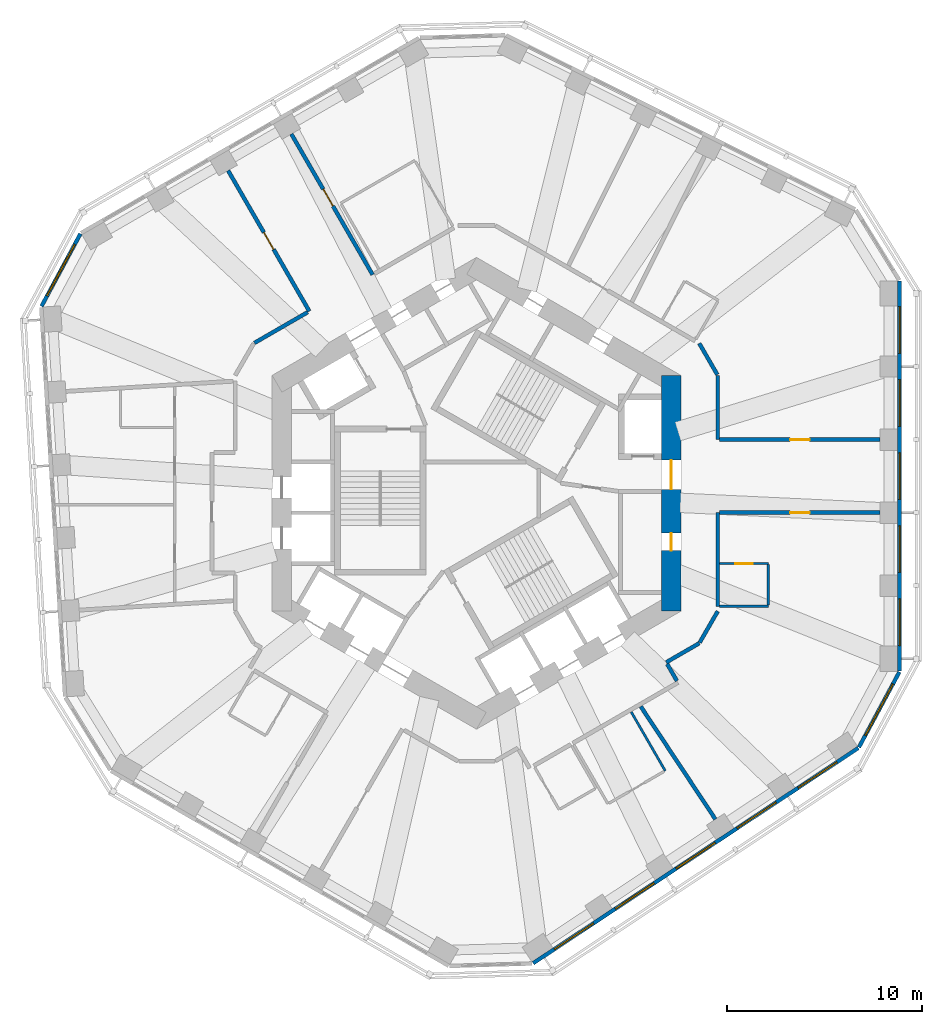
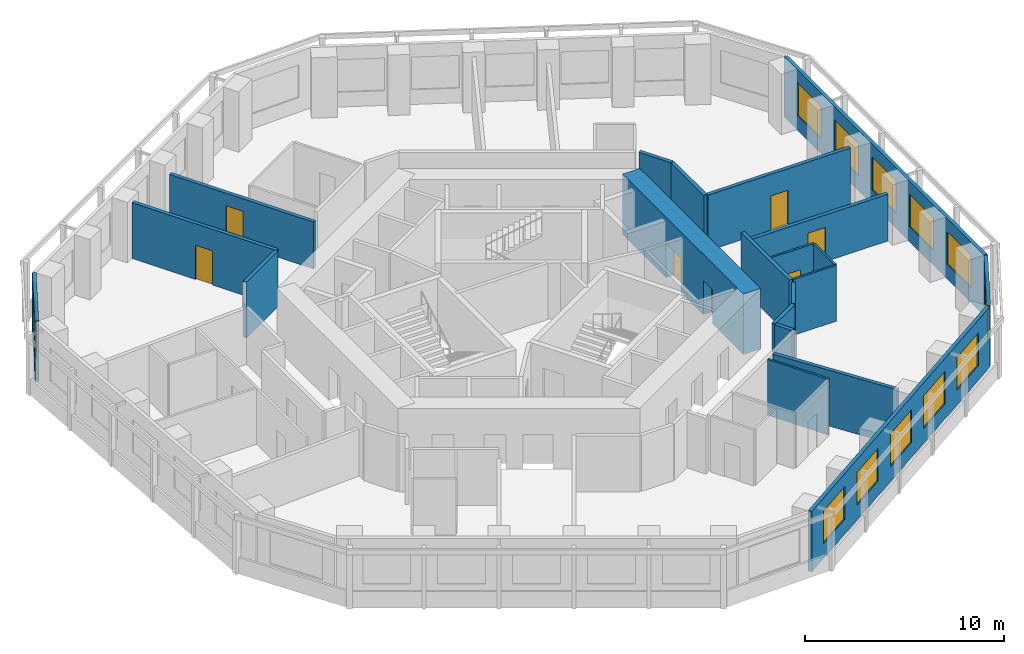
# One storey, part 6 of 11: 21 walls, 12 windows, 7 doors, 19 openings.
"""IFC4 building model written with IfcOpenShell, lengths in metres."""

from ifc_helpers import new_model, si_unit, direction, frame, frame_2d, origin, place, context, subcontext, project, spatial, rectangle, extrude, material, layer, layer_set, type_object, element, fill, save


model = new_model("IFC4")

# Units and contexts
model_context = context("Model", 3, precision=1e-05, world=origin(), true_north=direction((0.0, 1.0)))
body_context = subcontext(model_context, "Body", "Model", "MODEL_VIEW")
ifc_project = project(units=[si_unit("LENGTHUNIT", "METRE"), si_unit("AREAUNIT", "SQUARE_METRE"), si_unit("VOLUMEUNIT", "CUBIC_METRE"), si_unit("PLANEANGLEUNIT", "RADIAN"), si_unit("MASSUNIT", "GRAM", prefix="KILO")], contexts=[model_context])

# Site, building, storey
site_placement = place(None, origin())
site = spatial("IfcSite", under=ifc_project, at=site_placement, CompositionType="ELEMENT")
building_placement = place(site_placement, origin())
building = spatial("IfcBuilding", under=site, at=building_placement, Name="Vanh Sen Convention Tower", CompositionType="ELEMENT")
storey_placement = place(building_placement, frame((0.0, 0.0, 150.300048828125)))
storey = spatial("IfcBuildingStorey", under=building, at=storey_placement, Name="L36", CompositionType="ELEMENT", Elevation=150.300048828125)

# Wall
ifc_material_1 = material(Name="Moisture-resistant gypsum board on steel studs", Category="steel")
ifc_layer_1 = layer(ifc_material_1, 0.1201171875)
ifc_layer_set_1 = layer_set([ifc_layer_1], Name="Moisture-resistant gypsum board on steel studs")
wall_type_1 = type_object("IfcWallType", Name="Bathroom partition 120", PredefinedType="PARTITIONING", material=ifc_layer_set_1)
wall_1_placement = place(storey_placement, frame((7.949462890625, -11.23095703125, 0.0), z_axis=(0.0, 0.0, 1.0), x_axis=(0.500010275428, -0.866019471182, 0.0)))
element("IfcWall", 1, at=wall_1_placement, inside=storey, type_object=wall_type_1, Name="Bathroom partition 120", PredefinedType="PARTITIONING", context=body_context, shape_type="SweptSolid", body=[
    extrude(rectangle(XDim=3.5, YDim=0.1201171875, at=frame_2d((1.75, 0.0))), origin(), (0.0, 0.0, 1.0), 3.419921875),
])

# Wall, opening, door
wall_2_placement = place(storey_placement, frame((12.5, -3.6123046875, 0.0), z_axis=(0.0, 0.0, 1.0), x_axis=(1.0, 0.0, 0.0)))
wall_2 = element("IfcWall", 2, at=wall_2_placement, inside=storey, type_object=wall_type_1, Name="Bathroom partition 120", PredefinedType="PARTITIONING", context=body_context, shape_type="SweptSolid", body=[
    extrude(rectangle(XDim=2.5, YDim=0.1201171875, at=frame_2d((1.25, 0.0))), origin(), (0.0, 0.0, 1.0), 3.419921875),
])
opening_1_placement = place(wall_2_placement, frame((0.800048828125, 0.0, 0.0)))
opening_1 = element("IfcOpeningElement", 3, at=opening_1_placement, cuts=wall_2, Name="Opening D35117", PredefinedType="OPENING", context=body_context, shape_type="SweptSolid", body=[
    extrude(rectangle(XDim=0.89990234375, YDim=2.10009765625, at=frame_2d((0.449951171875, 1.050048828125))), frame((0.0, 0.070068359375, 0.0), z_axis=(0.0, -1.0, 0.0), x_axis=(1.0, 0.0, 0.0)), (0.0, 0.0, 1.0), 0.14013671875),
])
ifc_material_2 = material(Name="Laminate door in steel frame", Category="steel")
door_type_1 = type_object("IfcDoorType", Name="Room internal door 900", OperationType="SINGLE_SWING_LEFT", PredefinedType="DOOR", material=ifc_material_2)
door_1_placement = place(opening_1_placement, origin())
door_1 = element("IfcDoor", 4, at=door_1_placement, inside=storey, type_object=door_type_1, Name="Internal room door D35117", OperationType="SINGLE_SWING_LEFT", OverallHeight=2.10009765625, OverallWidth=0.89990234375, PredefinedType="DOOR", context=body_context, shape_type="SweptSolid", body=[
    extrude(rectangle(XDim=0.89990234375, YDim=2.10009765625, at=frame_2d((0.449951171875, 1.050048828125))), frame((0.0, 0.02490234375, 0.0), z_axis=(0.0, -1.0, 0.0), x_axis=(1.0, 0.0, 0.0)), (0.0, 0.0, 1.0), 0.050048828125),
])
fill(opening_1, door_1)

# Walls
wall_3_placement = place(storey_placement, frame((15.0, -5.812255859375, 0.0), z_axis=(0.0, 0.0, 1.0), x_axis=(-1.0, 0.0, 0.0)))
element("IfcWall", 5, at=wall_3_placement, inside=storey, type_object=wall_type_1, Name="Bathroom partition 120", PredefinedType="PARTITIONING", context=body_context, shape_type="SweptSolid", body=[
    extrude(rectangle(XDim=2.5, YDim=0.1201171875, at=frame_2d((1.25, 0.0))), origin(), (0.0, 0.0, 1.0), 3.419921875),
])
wall_4_placement = place(storey_placement, frame((15.0, -3.672119140625, 0.0), z_axis=(0.0, 0.0, 1.0), x_axis=(0.0, -1.0, 0.0)))
element("IfcWall", 6, at=wall_4_placement, inside=storey, type_object=wall_type_1, Name="Bathroom partition 120", PredefinedType="PARTITIONING", context=body_context, shape_type="SweptSolid", body=[
    extrude(rectangle(XDim=2.080078125, YDim=0.1201171875, at=frame_2d((1.0400390625, 0.0))), origin(), (0.0, 0.0, 1.0), 3.419921875),
])

# Wall, openings, doors
ifc_material_3 = material(Name="Concrete C80/95", Category="concrete")
ifc_layer_2 = layer(ifc_material_3, 1.0)
ifc_layer_set_2 = layer_set([ifc_layer_2], Name="Concrete C80/95")
wall_type_2 = type_object("IfcWallType", Name="Core outer wall 1000 C80/95", PredefinedType="SHEAR", material=ifc_layer_set_2)
wall_5_placement = place(storey_placement, frame((10.0, -6.062255859375, 0.0), z_axis=(0.0, 0.0, 1.0), x_axis=(0.0, 1.0, 0.0)))
wall_5 = element("IfcWall", 7, at=wall_5_placement, inside=storey, type_object=wall_type_2, Name="Core wall face E L36", PredefinedType="SHEAR", context=body_context, shape_type="SweptSolid", body=[
    extrude(rectangle(XDim=12.12451171875, YDim=1.0, at=frame_2d((6.062255859375, 0.0))), origin(), (0.0, 0.0, 1.0), 3.699951171875),
])
opening_2_placement = place(wall_5_placement, frame((6.26220703125, 0.0, 0.0)))
opening_2 = element("IfcOpeningElement", 8, at=opening_2_placement, cuts=wall_5, Name="Opening D35001", PredefinedType="OPENING", context=body_context, shape_type="SweptSolid", body=[
    extrude(rectangle(XDim=1.5, YDim=2.10009765625, at=frame_2d((0.75, 1.050048828125))), frame((0.0, 0.510009765625, 0.0), z_axis=(0.0, -1.0, 0.0), x_axis=(1.0, 0.0, 0.0)), (0.0, 0.0, 1.0), 1.02001953125),
])
opening_3_placement = place(wall_5_placement, frame((3.1123046875, 0.0, 0.0)))
opening_3 = element("IfcOpeningElement", 9, at=opening_3_placement, cuts=wall_5, Name="Opening D35010", PredefinedType="OPENING", context=body_context, shape_type="SweptSolid", body=[
    extrude(rectangle(XDim=0.89990234375, YDim=2.10009765625, at=frame_2d((0.449951171875, 1.050048828125))), frame((0.0, 0.510009765625, 0.0), z_axis=(0.0, -1.0, 0.0), x_axis=(1.0, 0.0, 0.0)), (0.0, 0.0, 1.0), 1.02001953125),
])
ifc_material_4 = material(Name="Steel S355", Category="steel")
door_type_2 = type_object("IfcDoorType", Name="Plant door 900", OperationType="SINGLE_SWING_LEFT", PredefinedType="DOOR", material=ifc_material_4)
door_2_placement = place(opening_3_placement, origin())
door_2 = element("IfcDoor", 10, at=door_2_placement, inside=storey, type_object=door_type_2, Name="Plant door D35010", OperationType="SINGLE_SWING_LEFT", OverallHeight=2.10009765625, OverallWidth=0.89990234375, PredefinedType="DOOR", context=body_context, shape_type="SweptSolid", body=[
    extrude(rectangle(XDim=0.89990234375, YDim=2.10009765625, at=frame_2d((0.449951171875, 1.050048828125))), frame((0.0, 0.02490234375, 0.0), z_axis=(0.0, -1.0, 0.0), x_axis=(1.0, 0.0, 0.0)), (0.0, 0.0, 1.0), 0.050048828125),
])
fill(opening_3, door_2)
door_type_3 = type_object("IfcDoorType", Name="Stair lobby door 1500", OperationType="DOUBLE_DOOR_SINGLE_SWING", PredefinedType="DOOR", material=ifc_material_4)
door_3_placement = place(opening_2_placement, origin())
door_3 = element("IfcDoor", 11, at=door_3_placement, inside=storey, type_object=door_type_3, Name="Stair lobby door D35001", OperationType="DOUBLE_DOOR_SINGLE_SWING", OverallHeight=2.10009765625, OverallWidth=1.5, PredefinedType="DOOR", context=body_context, shape_type="SweptSolid", body=[
    extrude(rectangle(XDim=1.5, YDim=2.10009765625, at=frame_2d((0.75, 1.050048828125))), frame((0.0, 0.02490234375, 0.0), z_axis=(0.0, -1.0, 0.0), x_axis=(1.0, 0.0, 0.0)), (0.0, 0.0, 1.0), 0.050048828125),
])
fill(opening_2, door_3)

# Wall, opening, door
ifc_material_5 = material(Name="Gypsum board on steel studs with mineral wool", Category="steel")
ifc_layer_3 = layer(ifc_material_5, 0.199951171875)
ifc_layer_set_3 = layer_set([ifc_layer_3], Name="Gypsum board on steel studs with mineral wool")
wall_type_3 = type_object("IfcWallType", Name="Corridor partition wall 200", PredefinedType="PARTITIONING", material=ifc_layer_set_3)
wall_6_placement = place(storey_placement, frame((-12.766357421875, 16.58935546875, 0.0), z_axis=(0.0, 0.0, 1.0), x_axis=(0.500010139422, -0.866019549707, 0.0)))
wall_6 = element("IfcWall", 12, at=wall_6_placement, inside=storey, type_object=wall_type_3, Name="Corridor partition wall 200", PredefinedType="PARTITIONING", context=body_context, shape_type="SweptSolid", body=[
    extrude(rectangle(XDim=8.349853515625, YDim=0.199951171875, at=frame_2d((4.1748046875, 0.0))), origin(), (0.0, 0.0, 1.0), 3.419921875),
])
opening_4_placement = place(wall_6_placement, frame((3.675048828125, 0.0, 0.0)))
opening_4 = element("IfcOpeningElement", 13, at=opening_4_placement, cuts=wall_6, Name="Opening D35106", PredefinedType="OPENING", context=body_context, shape_type="SweptSolid", body=[
    extrude(rectangle(XDim=1.0, YDim=2.10009765625, at=frame_2d((0.5, 1.050048828125))), frame((0.0, 0.10986328125, 0.0), z_axis=(0.0, -1.0, 0.0), x_axis=(1.0, 0.0, 0.0)), (0.0, 0.0, 1.0), 0.219970703125),
])
ifc_material_6 = material(Name="Glazed fire door in steel frame", Category="steel")
door_type_4 = type_object("IfcDoorType", Name="Tenant entrance door 1000", OperationType="SINGLE_SWING_LEFT", PredefinedType="DOOR", material=ifc_material_6)
door_4_placement = place(opening_4_placement, origin())
door_4 = element("IfcDoor", 14, at=door_4_placement, inside=storey, type_object=door_type_4, Name="Tenant suite entrance door D35106", OperationType="SINGLE_SWING_LEFT", OverallHeight=2.10009765625, OverallWidth=1.0, PredefinedType="DOOR", context=body_context, shape_type="SweptSolid", body=[
    extrude(rectangle(XDim=1.0, YDim=2.10009765625, at=frame_2d((0.5, 1.050048828125))), frame((0.0, 0.02490234375, 0.0), z_axis=(0.0, -1.0, 0.0), x_axis=(1.0, 0.0, 0.0)), (0.0, 0.0, 1.0), 0.050048828125),
])
fill(opening_4, door_4)

wall_7_placement = place(storey_placement, frame((-9.51513671875, 18.46630859375, 0.0), z_axis=(0.0, 0.0, 1.0), x_axis=(0.500010139422, -0.866019549707, 0.0)))
wall_7 = element("IfcWall", 15, at=wall_7_placement, inside=storey, type_object=wall_type_3, Name="Corridor partition wall 200", PredefinedType="PARTITIONING", context=body_context, shape_type="SweptSolid", body=[
    extrude(rectangle(XDim=8.349853515625, YDim=0.199951171875, at=frame_2d((4.1748046875, 0.0))), origin(), (0.0, 0.0, 1.0), 2.869873046875),
])
opening_5_placement = place(wall_7_placement, frame((3.27490234375, 0.0, 0.0)))
opening_5 = element("IfcOpeningElement", 16, at=opening_5_placement, cuts=wall_7, Name="Opening D35104", PredefinedType="OPENING", context=body_context, shape_type="SweptSolid", body=[
    extrude(rectangle(XDim=1.0, YDim=2.10009765625, at=frame_2d((0.5, 1.050048828125))), frame((0.0, 0.10986328125, 0.0), z_axis=(0.0, -1.0, 0.0), x_axis=(1.0, 0.0, 0.0)), (0.0, 0.0, 1.0), 0.219970703125),
])
door_5_placement = place(opening_5_placement, origin())
door_5 = element("IfcDoor", 17, at=door_5_placement, inside=storey, type_object=door_type_4, Name="Tenant suite entrance door D35104", OperationType="SINGLE_SWING_LEFT", OverallHeight=2.10009765625, OverallWidth=1.0, PredefinedType="DOOR", context=body_context, shape_type="SweptSolid", body=[
    extrude(rectangle(XDim=1.0, YDim=2.10009765625, at=frame_2d((0.5, 1.050048828125))), frame((0.0, 0.02490234375, 0.0), z_axis=(0.0, -1.0, 0.0), x_axis=(1.0, 0.0, 0.0)), (0.0, 0.0, 1.0), 0.050048828125),
])
fill(opening_5, door_5)

# Walls
wall_8_placement = place(storey_placement, frame((-8.677978515625, 9.30810546875, 0.0), z_axis=(0.0, 0.0, 1.0), x_axis=(-0.866000359435, -0.500043375578, 0.0)))
element("IfcWall", 18, at=wall_8_placement, inside=storey, type_object=wall_type_3, Name="Corridor partition wall 200", PredefinedType="PARTITIONING", context=body_context, shape_type="SweptSolid", body=[
    extrude(rectangle(XDim=3.160888671875, YDim=0.199951171875, at=frame_2d((1.58056640625, 0.0))), origin(), (0.0, 0.0, 1.0), 3.419921875),
])
wall_9_placement = place(storey_placement, frame((9.751708984375, -8.688232421875, 0.0), z_axis=(0.0, 0.0, 1.0), x_axis=(0.865974105138, 0.500088841337, 0.0)))
element("IfcWall", 19, at=wall_9_placement, inside=storey, type_object=wall_type_3, Name="Corridor partition wall 200", PredefinedType="PARTITIONING", context=body_context, shape_type="SweptSolid", body=[
    extrude(rectangle(XDim=1.961181640625, YDim=0.199951171875, at=frame_2d((0.98046875, 0.0))), origin(), (0.0, 0.0, 1.0), 3.419921875),
])
wall_10_placement = place(storey_placement, frame((10.302001953125, -9.6416015625, 0.0), z_axis=(0.0, 0.0, 1.0), x_axis=(-0.500074377092, 0.865982457891, 0.0)))
element("IfcWall", 20, at=wall_10_placement, inside=storey, type_object=wall_type_3, Name="Corridor partition wall 200", PredefinedType="PARTITIONING", context=body_context, shape_type="SweptSolid", body=[
    extrude(rectangle(XDim=1.000732421875, YDim=0.199951171875, at=frame_2d((0.50048828125, 0.0))), origin(), (0.0, 0.0, 1.0), 3.419921875),
])
for number, where, z_axis, x_axis, name in (
    (21, (11.469970703125, -7.673095703125, 0.0), (0.0, 0.0, 1.0), (0.499964847546, 0.866045698112, 0.0), "Corridor partition wall 200"),
    (22, (12.3798828125, 6.0966796875, 0.0), (0.0, 0.0, 1.0), (-0.499964847546, 0.866045698112, 0.0), "Corridor partition wall 200"),
):
    element("IfcWall", number, at=place(storey_placement, frame(where, z_axis=z_axis, x_axis=x_axis)), inside=storey, type_object=wall_type_3, Name=name, PredefinedType="PARTITIONING", context=body_context, shape_type="SweptSolid", body=[
        extrude(rectangle(XDim=1.860107421875, YDim=0.199951171875, at=frame_2d((0.93017578125, 0.0))), origin(), (0.0, 0.0, 1.0), 3.419921875),
    ])
wall_11_placement = place(storey_placement, frame((12.39990234375, -5.812255859375, 0.0), z_axis=(0.0, 0.0, 1.0), x_axis=(0.0, 1.0, 0.0)))
element("IfcWall", 23, at=wall_11_placement, inside=storey, type_object=wall_type_3, Name="Corridor partition wall 200", PredefinedType="PARTITIONING", context=body_context, shape_type="SweptSolid", body=[
    extrude(rectangle(XDim=4.8193359375, YDim=0.199951171875, at=frame_2d((2.40966796875, 0.0))), origin(), (0.0, 0.0, 1.0), 3.419921875),
])
wall_12_placement = place(storey_placement, frame((12.39990234375, 2.76123046875, 0.0), z_axis=(0.0, 0.0, 1.0), x_axis=(0.0, 1.0, 0.0)))
element("IfcWall", 24, at=wall_12_placement, inside=storey, type_object=wall_type_3, Name="Corridor partition wall 200", PredefinedType="PARTITIONING", context=body_context, shape_type="SweptSolid", body=[
    extrude(rectangle(XDim=3.301025390625, YDim=0.199951171875, at=frame_2d((1.650390625, 0.0))), origin(), (0.0, 0.0, 1.0), 3.419921875),
])

# Wall, opening, door
wall_13_placement = place(storey_placement, frame((12.5, -0.992919921875, 0.0), z_axis=(0.0, 0.0, 1.0), x_axis=(1.0, 0.0, 0.0)))
wall_13 = element("IfcWall", 25, at=wall_13_placement, inside=storey, type_object=wall_type_3, Name="Corridor partition wall 200", PredefinedType="PARTITIONING", context=body_context, shape_type="SweptSolid", body=[
    extrude(rectangle(XDim=8.25, YDim=0.199951171875, at=frame_2d((4.125, 0.0))), origin(), (0.0, 0.0, 1.0), 2.869873046875),
])
opening_6_placement = place(wall_13_placement, frame((3.625, 0.0, 0.0)))
opening_6 = element("IfcOpeningElement", 26, at=opening_6_placement, cuts=wall_13, Name="Opening D35116", PredefinedType="OPENING", context=body_context, shape_type="SweptSolid", body=[
    extrude(rectangle(XDim=1.0, YDim=2.10009765625, at=frame_2d((0.5, 1.050048828125))), frame((0.0, 0.10986328125, 0.0), z_axis=(0.0, -1.0, 0.0), x_axis=(1.0, 0.0, 0.0)), (0.0, 0.0, 1.0), 0.219970703125),
])
door_6_placement = place(opening_6_placement, origin())
door_6 = element("IfcDoor", 27, at=door_6_placement, inside=storey, type_object=door_type_4, Name="Tenant suite entrance door D35116", OperationType="SINGLE_SWING_LEFT", OverallHeight=2.10009765625, OverallWidth=1.0, PredefinedType="DOOR", context=body_context, shape_type="SweptSolid", body=[
    extrude(rectangle(XDim=1.0, YDim=2.10009765625, at=frame_2d((0.5, 1.050048828125))), frame((0.0, 0.02490234375, 0.0), z_axis=(0.0, -1.0, 0.0), x_axis=(1.0, 0.0, 0.0)), (0.0, 0.0, 1.0), 0.050048828125),
])
fill(opening_6, door_6)

wall_14_placement = place(storey_placement, frame((20.75, 2.76123046875, 0.0), z_axis=(0.0, 0.0, 1.0), x_axis=(-1.0, 0.0, 0.0)))
wall_14 = element("IfcWall", 28, at=wall_14_placement, inside=storey, type_object=wall_type_3, Name="Corridor partition wall 200", PredefinedType="PARTITIONING", context=body_context, shape_type="SweptSolid", body=[
    extrude(rectangle(XDim=8.25, YDim=0.199951171875, at=frame_2d((4.125, 0.0))), origin(), (0.0, 0.0, 1.0), 3.419921875),
])
opening_7_placement = place(wall_14_placement, frame((3.625, 0.0, 0.0)))
opening_7 = element("IfcOpeningElement", 29, at=opening_7_placement, cuts=wall_14, Name="Opening D35101", PredefinedType="OPENING", context=body_context, shape_type="SweptSolid", body=[
    extrude(rectangle(XDim=1.0, YDim=2.10009765625, at=frame_2d((0.5, 1.050048828125))), frame((0.0, 0.10986328125, 0.0), z_axis=(0.0, -1.0, 0.0), x_axis=(1.0, 0.0, 0.0)), (0.0, 0.0, 1.0), 0.219970703125),
])
door_7_placement = place(opening_7_placement, origin())
door_7 = element("IfcDoor", 30, at=door_7_placement, inside=storey, type_object=door_type_4, Name="Tenant suite entrance door D35101", OperationType="SINGLE_SWING_LEFT", OverallHeight=2.10009765625, OverallWidth=1.0, PredefinedType="DOOR", context=body_context, shape_type="SweptSolid", body=[
    extrude(rectangle(XDim=1.0, YDim=2.10009765625, at=frame_2d((0.5, 1.050048828125))), frame((0.0, 0.02490234375, 0.0), z_axis=(0.0, -1.0, 0.0), x_axis=(1.0, 0.0, 0.0)), (0.0, 0.0, 1.0), 0.050048828125),
])
fill(opening_7, door_7)

# Wall, openings, windows
ifc_material_7 = material(Name="Insulated lightweight infill wall")
ifc_layer_4 = layer(ifc_material_7, 0.199951171875)
ifc_layer_set_4 = layer_set([ifc_layer_4], Name="Insulated lightweight infill wall")
wall_type_4 = type_object("IfcWallType", Name="External wall 200", PredefinedType="STANDARD", material=ifc_layer_set_4)
wall_15_placement = place(storey_placement, frame((21.75, -9.138427734375, 0.0), z_axis=(0.0, 0.0, 1.0), x_axis=(0.0, 1.0, 0.0)))
wall_15 = element("IfcWall", 31, at=wall_15_placement, inside=storey, type_object=wall_type_4, Name="External wall E L36", PredefinedType="STANDARD", context=body_context, shape_type="SweptSolid", body=[
    extrude(rectangle(XDim=20.043701171875, YDim=0.199951171875, at=frame_2d((10.02197265625, 0.0))), origin(), (0.0, 0.0, 1.0), 3.699951171875),
])
opening_8_placement = place(wall_15_placement, frame((1.314453125, 0.0, 0.89990234375)))
opening_8 = element("IfcOpeningElement", 32, at=opening_8_placement, cuts=wall_15, Name="Opening WO1-E1", PredefinedType="OPENING", context=body_context, shape_type="SweptSolid", body=[
    extrude(rectangle(XDim=2.39990234375, YDim=2.0, at=frame_2d((1.199951171875, 1.0))), frame((0.0, 0.10986328125, 0.0), z_axis=(0.0, -1.0, 0.0), x_axis=(1.0, 0.0, 0.0)), (0.0, 0.0, 1.0), 0.219970703125),
])
opening_9_placement = place(wall_15_placement, frame((5.068603515625, 0.0, 0.89990234375)))
opening_9 = element("IfcOpeningElement", 33, at=opening_9_placement, cuts=wall_15, Name="Opening WO1-E2", PredefinedType="OPENING", context=body_context, shape_type="SweptSolid", body=[
    extrude(rectangle(XDim=2.39990234375, YDim=2.0, at=frame_2d((1.199951171875, 1.0))), frame((0.0, 0.10986328125, 0.0), z_axis=(0.0, -1.0, 0.0), x_axis=(1.0, 0.0, 0.0)), (0.0, 0.0, 1.0), 0.219970703125),
])
opening_10_placement = place(wall_15_placement, frame((8.82275390625, 0.0, 0.89990234375)))
opening_10 = element("IfcOpeningElement", 34, at=opening_10_placement, cuts=wall_15, Name="Opening WO1-E3", PredefinedType="OPENING", context=body_context, shape_type="SweptSolid", body=[
    extrude(rectangle(XDim=2.39990234375, YDim=2.0, at=frame_2d((1.199951171875, 1.0))), frame((0.0, 0.10986328125, 0.0), z_axis=(0.0, -1.0, 0.0), x_axis=(1.0, 0.0, 0.0)), (0.0, 0.0, 1.0), 0.219970703125),
])
opening_11_placement = place(wall_15_placement, frame((12.576904296875, 0.0, 0.89990234375)))
opening_11 = element("IfcOpeningElement", 35, at=opening_11_placement, cuts=wall_15, Name="Opening WO1-E4", PredefinedType="OPENING", context=body_context, shape_type="SweptSolid", body=[
    extrude(rectangle(XDim=2.39990234375, YDim=2.0, at=frame_2d((1.199951171875, 1.0))), frame((0.0, 0.10986328125, 0.0), z_axis=(0.0, -1.0, 0.0), x_axis=(1.0, 0.0, 0.0)), (0.0, 0.0, 1.0), 0.219970703125),
])
opening_12_placement = place(wall_15_placement, frame((16.330810546875, 0.0, 0.89990234375)))
opening_12 = element("IfcOpeningElement", 36, at=opening_12_placement, cuts=wall_15, Name="Opening WO1-E5", PredefinedType="OPENING", context=body_context, shape_type="SweptSolid", body=[
    extrude(rectangle(XDim=2.39990234375, YDim=2.0, at=frame_2d((1.199951171875, 1.0))), frame((0.0, 0.10986328125, 0.0), z_axis=(0.0, -1.0, 0.0), x_axis=(1.0, 0.0, 0.0)), (0.0, 0.0, 1.0), 0.219970703125),
])
ifc_material_8 = material(Name="Aluminium frame with clear low-emissivity glass", Category="aluminium")
window_type_1 = type_object("IfcWindowType", Name="Office window 2400 x 2000", PartitioningType="SINGLE_PANEL", PredefinedType="WINDOW", material=ifc_material_8)
window_1_placement = place(opening_8_placement, origin())
window_1 = element("IfcWindow", 37, at=window_1_placement, inside=storey, type_object=window_type_1, Name="Window WO1-E1", OverallHeight=2.0, OverallWidth=2.39990234375, PartitioningType="SINGLE_PANEL", PredefinedType="WINDOW", context=body_context, shape_type="SweptSolid", body=[
    extrude(rectangle(XDim=2.39990234375, YDim=2.0, at=frame_2d((1.199951171875, 1.0))), frame((0.0, 0.030029296875, 0.0), z_axis=(0.0, -1.0, 0.0), x_axis=(1.0, 0.0, 0.0)), (0.0, 0.0, 1.0), 0.06005859375),
])
fill(opening_8, window_1)
window_2_placement = place(opening_9_placement, origin())
window_2 = element("IfcWindow", 38, at=window_2_placement, inside=storey, type_object=window_type_1, Name="Window WO1-E2", OverallHeight=2.0, OverallWidth=2.39990234375, PartitioningType="SINGLE_PANEL", PredefinedType="WINDOW", context=body_context, shape_type="SweptSolid", body=[
    extrude(rectangle(XDim=2.39990234375, YDim=2.0, at=frame_2d((1.199951171875, 1.0))), frame((0.0, 0.030029296875, 0.0), z_axis=(0.0, -1.0, 0.0), x_axis=(1.0, 0.0, 0.0)), (0.0, 0.0, 1.0), 0.06005859375),
])
fill(opening_9, window_2)
window_3_placement = place(opening_10_placement, origin())
window_3 = element("IfcWindow", 39, at=window_3_placement, inside=storey, type_object=window_type_1, Name="Window WO1-E3", OverallHeight=2.0, OverallWidth=2.39990234375, PartitioningType="SINGLE_PANEL", PredefinedType="WINDOW", context=body_context, shape_type="SweptSolid", body=[
    extrude(rectangle(XDim=2.39990234375, YDim=2.0, at=frame_2d((1.199951171875, 1.0))), frame((0.0, 0.030029296875, 0.0), z_axis=(0.0, -1.0, 0.0), x_axis=(1.0, 0.0, 0.0)), (0.0, 0.0, 1.0), 0.06005859375),
])
fill(opening_10, window_3)
window_4_placement = place(opening_11_placement, origin())
window_4 = element("IfcWindow", 40, at=window_4_placement, inside=storey, type_object=window_type_1, Name="Window WO1-E4", OverallHeight=2.0, OverallWidth=2.39990234375, PartitioningType="SINGLE_PANEL", PredefinedType="WINDOW", context=body_context, shape_type="SweptSolid", body=[
    extrude(rectangle(XDim=2.39990234375, YDim=2.0, at=frame_2d((1.199951171875, 1.0))), frame((0.0, 0.030029296875, 0.0), z_axis=(0.0, -1.0, 0.0), x_axis=(1.0, 0.0, 0.0)), (0.0, 0.0, 1.0), 0.06005859375),
])
fill(opening_11, window_4)
window_5_placement = place(opening_12_placement, origin())
window_5 = element("IfcWindow", 41, at=window_5_placement, inside=storey, type_object=window_type_1, Name="Window WO1-E5", OverallHeight=2.0, OverallWidth=2.39990234375, PartitioningType="SINGLE_PANEL", PredefinedType="WINDOW", context=body_context, shape_type="SweptSolid", body=[
    extrude(rectangle(XDim=2.39990234375, YDim=2.0, at=frame_2d((1.199951171875, 1.0))), frame((0.0, 0.030029296875, 0.0), z_axis=(0.0, -1.0, 0.0), x_axis=(1.0, 0.0, 0.0)), (0.0, 0.0, 1.0), 0.06005859375),
])
fill(opening_12, window_5)

# Wall, opening, window
wall_16_placement = place(storey_placement, frame((-20.357421875, 13.343994140625, 0.0), z_axis=(0.0, 0.0, 1.0), x_axis=(-0.473288913494, -0.880907262068, 0.0)))
wall_16 = element("IfcWall", 42, at=wall_16_placement, inside=storey, type_object=wall_type_4, Name="External wall CH3 L36", PredefinedType="STANDARD", context=body_context, shape_type="SweptSolid", body=[
    extrude(rectangle(XDim=4.238037109375, YDim=0.199951171875, at=frame_2d((2.119140625, 0.0))), origin(), (0.0, 0.0, 1.0), 3.699951171875),
])
opening_13_placement = place(wall_16_placement, frame((0.619140625, 0.0, 0.89990234375)))
opening_13 = element("IfcOpeningElement", 43, at=opening_13_placement, cuts=wall_16, Name="Opening WO2-CH31", PredefinedType="OPENING", context=body_context, shape_type="SweptSolid", body=[
    extrude(rectangle(XDim=3.0, YDim=2.0, at=frame_2d((1.5, 1.0))), frame((0.0, 0.10986328125, 0.0), z_axis=(0.0, -1.0, 0.0), x_axis=(1.0, 0.0, 0.0)), (0.0, 0.0, 1.0), 0.219970703125),
])
window_type_2 = type_object("IfcWindowType", Name="Office window 3000 x 2000", PartitioningType="SINGLE_PANEL", PredefinedType="WINDOW", material=ifc_material_8)
window_6_placement = place(opening_13_placement, origin())
window_6 = element("IfcWindow", 44, at=window_6_placement, inside=storey, type_object=window_type_2, Name="Window WO2-CH31", OverallHeight=2.0, OverallWidth=3.0, PartitioningType="SINGLE_PANEL", PredefinedType="WINDOW", context=body_context, shape_type="SweptSolid", body=[
    extrude(rectangle(XDim=3.0, YDim=2.0, at=frame_2d((1.5, 1.0))), frame((0.0, 0.030029296875, 0.0), z_axis=(0.0, -1.0, 0.0), x_axis=(1.0, 0.0, 0.0)), (0.0, 0.0, 1.0), 0.06005859375),
])
fill(opening_13, window_6)

# Wall, openings, windows
wall_17_placement = place(storey_placement, frame((2.910888671875, -24.156005859375, 0.0), z_axis=(0.0, 0.0, 1.0), x_axis=(0.833882163564, 0.551942512668, 0.0)))
wall_17 = element("IfcWall", 45, at=wall_17_placement, inside=storey, type_object=wall_type_4, Name="External wall SE L36", PredefinedType="STANDARD", context=body_context, shape_type="SweptSolid", body=[
    extrude(rectangle(XDim=20.043701171875, YDim=0.199951171875, at=frame_2d((10.02197265625, 0.0))), origin(), (0.0, 0.0, 1.0), 3.699951171875),
])
opening_14_placement = place(wall_17_placement, frame((1.312744140625, 0.0, 0.89990234375)))
opening_14 = element("IfcOpeningElement", 46, at=opening_14_placement, cuts=wall_17, Name="Opening WO1-SE1", PredefinedType="OPENING", context=body_context, shape_type="SweptSolid", body=[
    extrude(rectangle(XDim=2.39990234375, YDim=2.0, at=frame_2d((1.199951171875, 1.0))), frame((0.0, 0.10986328125, 0.0), z_axis=(0.0, -1.0, 0.0), x_axis=(1.0, 0.0, 0.0)), (0.0, 0.0, 1.0), 0.219970703125),
])
opening_15_placement = place(wall_17_placement, frame((5.06689453125, 0.0, 0.89990234375)))
opening_15 = element("IfcOpeningElement", 47, at=opening_15_placement, cuts=wall_17, Name="Opening WO1-SE2", PredefinedType="OPENING", context=body_context, shape_type="SweptSolid", body=[
    extrude(rectangle(XDim=2.39990234375, YDim=2.0, at=frame_2d((1.199951171875, 1.0))), frame((0.0, 0.10986328125, 0.0), z_axis=(0.0, -1.0, 0.0), x_axis=(1.0, 0.0, 0.0)), (0.0, 0.0, 1.0), 0.219970703125),
])
opening_16_placement = place(wall_17_placement, frame((8.82080078125, 0.0, 0.89990234375)))
opening_16 = element("IfcOpeningElement", 48, at=opening_16_placement, cuts=wall_17, Name="Opening WO1-SE3", PredefinedType="OPENING", context=body_context, shape_type="SweptSolid", body=[
    extrude(rectangle(XDim=2.39990234375, YDim=2.0, at=frame_2d((1.199951171875, 1.0))), frame((0.0, 0.10986328125, 0.0), z_axis=(0.0, -1.0, 0.0), x_axis=(1.0, 0.0, 0.0)), (0.0, 0.0, 1.0), 0.219970703125),
])
opening_17_placement = place(wall_17_placement, frame((12.5751953125, 0.0, 0.89990234375)))
opening_17 = element("IfcOpeningElement", 49, at=opening_17_placement, cuts=wall_17, Name="Opening WO1-SE4", PredefinedType="OPENING", context=body_context, shape_type="SweptSolid", body=[
    extrude(rectangle(XDim=2.39990234375, YDim=2.0, at=frame_2d((1.199951171875, 1.0))), frame((0.0, 0.10986328125, 0.0), z_axis=(0.0, -1.0, 0.0), x_axis=(1.0, 0.0, 0.0)), (0.0, 0.0, 1.0), 0.219970703125),
])
opening_18_placement = place(wall_17_placement, frame((16.3291015625, 0.0, 0.89990234375)))
opening_18 = element("IfcOpeningElement", 50, at=opening_18_placement, cuts=wall_17, Name="Opening WO1-SE5", PredefinedType="OPENING", context=body_context, shape_type="SweptSolid", body=[
    extrude(rectangle(XDim=2.39990234375, YDim=2.0, at=frame_2d((1.199951171875, 1.0))), frame((0.0, 0.10986328125, 0.0), z_axis=(0.0, -1.0, 0.0), x_axis=(1.0, 0.0, 0.0)), (0.0, 0.0, 1.0), 0.219970703125),
])
window_7_placement = place(opening_14_placement, origin())
window_7 = element("IfcWindow", 51, at=window_7_placement, inside=storey, type_object=window_type_1, Name="Window WO1-SE1", OverallHeight=2.0, OverallWidth=2.39990234375, PartitioningType="SINGLE_PANEL", PredefinedType="WINDOW", context=body_context, shape_type="SweptSolid", body=[
    extrude(rectangle(XDim=2.39990234375, YDim=2.0, at=frame_2d((1.199951171875, 1.0))), frame((0.0, 0.030029296875, 0.0), z_axis=(0.0, -1.0, 0.0), x_axis=(1.0, 0.0, 0.0)), (0.0, 0.0, 1.0), 0.06005859375),
])
fill(opening_14, window_7)
window_8_placement = place(opening_15_placement, origin())
window_8 = element("IfcWindow", 52, at=window_8_placement, inside=storey, type_object=window_type_1, Name="Window WO1-SE2", OverallHeight=2.0, OverallWidth=2.39990234375, PartitioningType="SINGLE_PANEL", PredefinedType="WINDOW", context=body_context, shape_type="SweptSolid", body=[
    extrude(rectangle(XDim=2.39990234375, YDim=2.0, at=frame_2d((1.199951171875, 1.0))), frame((0.0, 0.030029296875, 0.0), z_axis=(0.0, -1.0, 0.0), x_axis=(1.0, 0.0, 0.0)), (0.0, 0.0, 1.0), 0.06005859375),
])
fill(opening_15, window_8)
window_9_placement = place(opening_16_placement, origin())
window_9 = element("IfcWindow", 53, at=window_9_placement, inside=storey, type_object=window_type_1, Name="Window WO1-SE3", OverallHeight=2.0, OverallWidth=2.39990234375, PartitioningType="SINGLE_PANEL", PredefinedType="WINDOW", context=body_context, shape_type="SweptSolid", body=[
    extrude(rectangle(XDim=2.39990234375, YDim=2.0, at=frame_2d((1.199951171875, 1.0))), frame((0.0, 0.030029296875, 0.0), z_axis=(0.0, -1.0, 0.0), x_axis=(1.0, 0.0, 0.0)), (0.0, 0.0, 1.0), 0.06005859375),
])
fill(opening_16, window_9)
window_10_placement = place(opening_17_placement, origin())
window_10 = element("IfcWindow", 54, at=window_10_placement, inside=storey, type_object=window_type_1, Name="Window WO1-SE4", OverallHeight=2.0, OverallWidth=2.39990234375, PartitioningType="SINGLE_PANEL", PredefinedType="WINDOW", context=body_context, shape_type="SweptSolid", body=[
    extrude(rectangle(XDim=2.39990234375, YDim=2.0, at=frame_2d((1.199951171875, 1.0))), frame((0.0, 0.030029296875, 0.0), z_axis=(0.0, -1.0, 0.0), x_axis=(1.0, 0.0, 0.0)), (0.0, 0.0, 1.0), 0.06005859375),
])
fill(opening_17, window_10)
window_11_placement = place(opening_18_placement, origin())
window_11 = element("IfcWindow", 55, at=window_11_placement, inside=storey, type_object=window_type_1, Name="Window WO1-SE5", OverallHeight=2.0, OverallWidth=2.39990234375, PartitioningType="SINGLE_PANEL", PredefinedType="WINDOW", context=body_context, shape_type="SweptSolid", body=[
    extrude(rectangle(XDim=2.39990234375, YDim=2.0, at=frame_2d((1.199951171875, 1.0))), frame((0.0, 0.030029296875, 0.0), z_axis=(0.0, -1.0, 0.0), x_axis=(1.0, 0.0, 0.0)), (0.0, 0.0, 1.0), 0.06005859375),
])
fill(opening_18, window_11)

# Wall, opening, window
wall_18_placement = place(storey_placement, frame((19.657958984375, -13.05712890625, 0.0), z_axis=(0.0, 0.0, 1.0), x_axis=(0.473307879841, 0.880897071672, 0.0)))
wall_18 = element("IfcWall", 56, at=wall_18_placement, inside=storey, type_object=wall_type_4, Name="External wall CH6 L36", PredefinedType="STANDARD", context=body_context, shape_type="SweptSolid", body=[
    extrude(rectangle(XDim=4.394775390625, YDim=0.199951171875, at=frame_2d((2.197265625, 0.0))), origin(), (0.0, 0.0, 1.0), 3.699951171875),
])
opening_19_placement = place(wall_18_placement, frame((0.697509765625, 0.0, 0.89990234375)))
opening_19 = element("IfcOpeningElement", 57, at=opening_19_placement, cuts=wall_18, Name="Opening WO2-CH61", PredefinedType="OPENING", context=body_context, shape_type="SweptSolid", body=[
    extrude(rectangle(XDim=3.0, YDim=2.0, at=frame_2d((1.5, 1.0))), frame((0.0, 0.10986328125, 0.0), z_axis=(0.0, -1.0, 0.0), x_axis=(1.0, 0.0, 0.0)), (0.0, 0.0, 1.0), 0.219970703125),
])
window_12_placement = place(opening_19_placement, origin())
window_12 = element("IfcWindow", 58, at=window_12_placement, inside=storey, type_object=window_type_2, Name="Window WO2-CH61", OverallHeight=2.0, OverallWidth=3.0, PartitioningType="SINGLE_PANEL", PredefinedType="WINDOW", context=body_context, shape_type="SweptSolid", body=[
    extrude(rectangle(XDim=3.0, YDim=2.0, at=frame_2d((1.5, 1.0))), frame((0.0, 0.030029296875, 0.0), z_axis=(0.0, -1.0, 0.0), x_axis=(1.0, 0.0, 0.0)), (0.0, 0.0, 1.0), 0.06005859375),
])
fill(opening_19, window_12)

# Wall
ifc_layer_5 = layer(ifc_material_5, 0.199951171875)
ifc_layer_set_5 = layer_set([ifc_layer_5], Name="Gypsum board on steel studs with mineral wool")
wall_type_5 = type_object("IfcWallType", Name="Tenant suite wall 200", PredefinedType="PARTITIONING", material=ifc_layer_set_5)
wall_19_placement = place(storey_placement, frame((12.280517578125, -16.755126953125, 0.0), z_axis=(0.0, 0.0, 1.0), x_axis=(-0.551925794663, 0.833893228888, 0.0)))
element("IfcWall", 59, at=wall_19_placement, inside=storey, type_object=wall_type_5, Name="Tenant suite wall 200", PredefinedType="PARTITIONING", context=body_context, shape_type="SweptSolid", body=[
    extrude(rectangle(XDim=6.95263671875, YDim=0.199951171875, at=frame_2d((3.476318359375, 0.0))), origin(), (0.0, 0.0, 1.0), 3.419921875),
])

save(model, "model.ifc")
